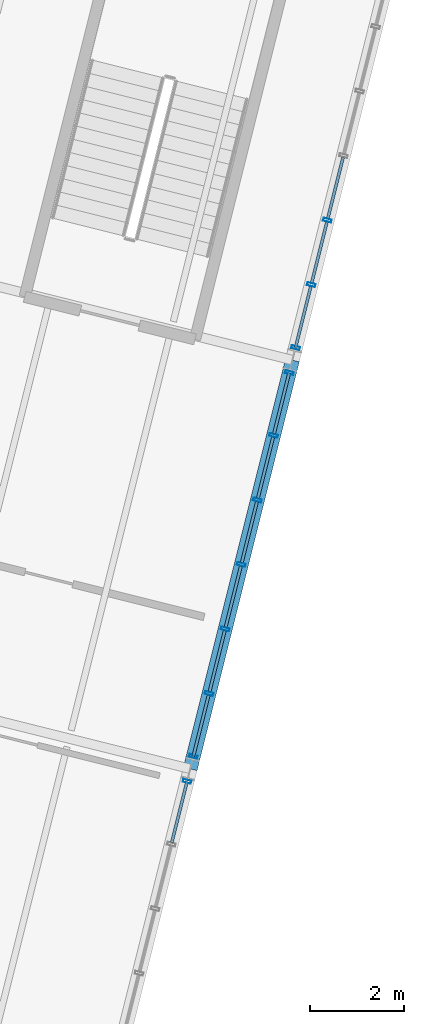
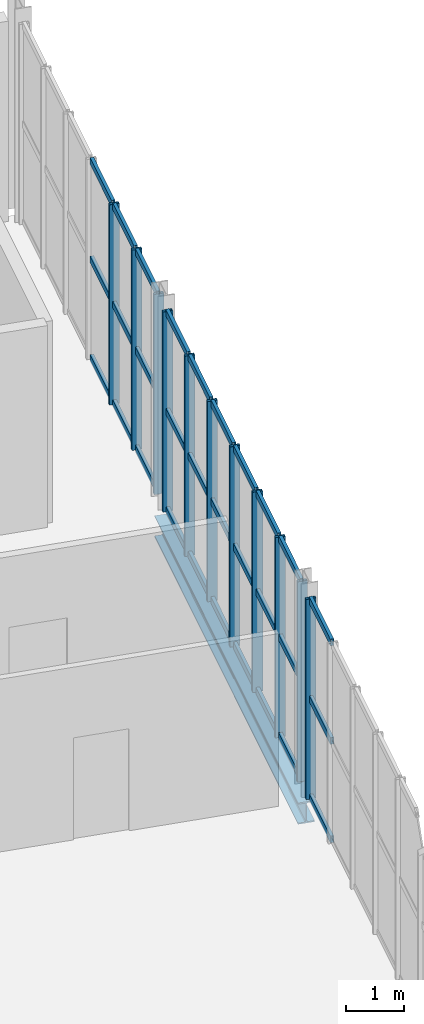
# One storey, part 98 of 152: 41 members, 1 beam, 3 elements without a shape of their own.
"""IFC4 building model written with IfcOpenShell, lengths in metres."""

from ifc_helpers import new_model, si_unit, derived_unit, direction, frame, origin, origin_2d, place, context, subcontext, project, spatial, hollow_rectangle, i_section, extrude, material, material_profile, profile_set, type_object, element, aggregate, save


model = new_model("IFC4")

# Units and contexts
model_context = context("Model", 3, precision=1e-05, world=origin(), true_north=direction((0.0, 1.0)))
body_context = subcontext(model_context, "Body", "Model", "MODEL_VIEW")
ifc_project = project(units=[si_unit("LENGTHUNIT", "METRE"), si_unit("AREAUNIT", "SQUARE_METRE"), si_unit("VOLUMEUNIT", "CUBIC_METRE"), si_unit("PLANEANGLEUNIT", "RADIAN"), si_unit("MASSUNIT", "GRAM", prefix="KILO"), si_unit("THERMODYNAMICTEMPERATUREUNIT", "KELVIN"), si_unit("TIMEUNIT", "SECOND"), derived_unit("THERMALTRANSMITTANCEUNIT", [(si_unit("MASSUNIT", "GRAM", prefix="KILO"), 1), (si_unit("THERMODYNAMICTEMPERATUREUNIT", "KELVIN"), -1), (si_unit("TIMEUNIT", "SECOND"), -3)])], contexts=[model_context])

# Site, building, storey
site_placement = place(None, origin())
site = spatial("IfcSite", under=ifc_project, at=site_placement, CompositionType="ELEMENT")
building_placement = place(site_placement, origin())
building = spatial("IfcBuilding", under=site, at=building_placement, Name="Cambertide Market Hall", CompositionType="ELEMENT")
storey_placement = place(building_placement, frame((0.0, 0.0, 5.39990234375)))
storey = spatial("IfcBuildingStorey", under=building, at=storey_placement, Name="L02", CompositionType="ELEMENT", Elevation=5.39990234375)

# Curtain wall, member
ifc_material_1 = material(Name="Marine Anodized Aluminium 6063-T6 AA25", Category="aluminium")
curtain_wall_type = type_object("IfcCurtainWallType", Name="Cooking School Classroom Curtain Wall", PredefinedType="USERDEFINED", material=ifc_material_1)
curtain_wall_1_placement = place(storey_placement, origin())
curtain_wall_1 = element("IfcCurtainWall", 1, at=curtain_wall_1_placement, inside=storey, type_object=curtain_wall_type, Name="Level 2 Curtain Wall CW-V4E-L02-1", ObjectType="UNITIZED CURTAIN WALL", PredefinedType="USERDEFINED")
ifc_material_2 = material(Name="Champagne Marine Anodized Aluminium 6063-T6 AA25", Category="aluminium")
ifc_material_profile_1 = material_profile(ifc_material_2, hollow_rectangle(XDim=0.06494140625, YDim=0.179931640625, WallThickness=0.00390625, at=origin_2d()), Name="ALU MULLION 65x180")
ifc_profile_set_1 = profile_set([ifc_material_profile_1], Name="Champagne Marine Anodized Aluminium 6063-T6 AA25")
member_type_1 = type_object("IfcMemberType", Name="Curtain Wall Mullion ALU MULLION 65x180", PredefinedType="MULLION", material=ifc_profile_set_1)
member_1_placement = place(storey_placement, frame((172.205322265625, 92.942138671875, 0.0), z_axis=(0.0, 0.0, 1.0), x_axis=(-0.242535569805, -0.970142513953, 0.0)))
member_1 = element("IfcMember", 2, at=member_1_placement, type_object=member_type_1, Name="CW-V4E-L02-1 Mullion 1", PredefinedType="MULLION", context=body_context, shape_type="SweptSolid", body=[
    extrude(hollow_rectangle(XDim=0.06494140625, YDim=0.179931640625, WallThickness=0.00390625, at=origin_2d()), origin(), (0.0, 0.0, 1.0), 4.22021484375),
])

# Curtain wall, members
curtain_wall_2_placement = place(storey_placement, origin())
curtain_wall_2 = element("IfcCurtainWall", 3, at=curtain_wall_2_placement, inside=storey, type_object=curtain_wall_type, Name="Level 2 Curtain Wall CW-V4E-L02-2", ObjectType="UNITIZED CURTAIN WALL", PredefinedType="USERDEFINED")
member_2_placement = place(storey_placement, frame((174.38818359375, 101.673583984375, 0.0), z_axis=(0.0, 0.0, 1.0), x_axis=(-0.24253568027, -0.970142486337, 0.0)))
member_2 = element("IfcMember", 4, at=member_2_placement, type_object=member_type_1, Name="CW-V4E-L02-2 Mullion 1", PredefinedType="MULLION", context=body_context, shape_type="SweptSolid", body=[
    extrude(hollow_rectangle(XDim=0.06494140625, YDim=0.179931640625, WallThickness=0.00390625, at=origin_2d()), origin(), (0.0, 0.0, 1.0), 4.22021484375),
])
member_3_placement = place(storey_placement, frame((174.05224609375, 100.329833984375, 0.0), z_axis=(0.0, 0.0, 1.0), x_axis=(-0.24253568027, -0.970142486337, 0.0)))
member_3 = element("IfcMember", 5, at=member_3_placement, type_object=member_type_1, Name="CW-V4E-L02-2 Mullion 2", PredefinedType="MULLION", context=body_context, shape_type="SweptSolid", body=[
    extrude(hollow_rectangle(XDim=0.06494140625, YDim=0.179931640625, WallThickness=0.00390625, at=origin_2d()), origin(), (0.0, 0.0, 1.0), 4.22021484375),
])
member_4_placement = place(storey_placement, frame((173.707763671875, 98.9521484375, 0.0), z_axis=(0.0, 0.0, 1.0), x_axis=(-0.24253568027, -0.970142486337, 0.0)))
member_4 = element("IfcMember", 6, at=member_4_placement, type_object=member_type_1, Name="CW-V4E-L02-2 Mullion 3", PredefinedType="MULLION", context=body_context, shape_type="SweptSolid", body=[
    extrude(hollow_rectangle(XDim=0.06494140625, YDim=0.179931640625, WallThickness=0.00390625, at=origin_2d()), origin(), (0.0, 0.0, 1.0), 4.22021484375),
])
member_5_placement = place(storey_placement, frame((173.36328125, 97.57470703125, 0.0), z_axis=(0.0, 0.0, 1.0), x_axis=(-0.24253568027, -0.970142486337, 0.0)))
member_5 = element("IfcMember", 7, at=member_5_placement, type_object=member_type_1, Name="CW-V4E-L02-2 Mullion 4", PredefinedType="MULLION", context=body_context, shape_type="SweptSolid", body=[
    extrude(hollow_rectangle(XDim=0.06494140625, YDim=0.179931640625, WallThickness=0.00390625, at=origin_2d()), origin(), (0.0, 0.0, 1.0), 4.22021484375),
])
member_6_placement = place(storey_placement, frame((173.01904296875, 96.197021484375, 0.0), z_axis=(0.0, 0.0, 1.0), x_axis=(-0.24253568027, -0.970142486337, 0.0)))
member_6 = element("IfcMember", 8, at=member_6_placement, type_object=member_type_1, Name="CW-V4E-L02-2 Mullion 5", PredefinedType="MULLION", context=body_context, shape_type="SweptSolid", body=[
    extrude(hollow_rectangle(XDim=0.06494140625, YDim=0.179931640625, WallThickness=0.00390625, at=origin_2d()), origin(), (0.0, 0.0, 1.0), 4.22021484375),
])
member_7_placement = place(storey_placement, frame((172.674560546875, 94.8193359375, 0.0), z_axis=(0.0, 0.0, 1.0), x_axis=(-0.24253568027, -0.970142486337, 0.0)))
member_7 = element("IfcMember", 9, at=member_7_placement, type_object=member_type_1, Name="CW-V4E-L02-2 Mullion 6", PredefinedType="MULLION", context=body_context, shape_type="SweptSolid", body=[
    extrude(hollow_rectangle(XDim=0.06494140625, YDim=0.179931640625, WallThickness=0.00390625, at=origin_2d()), origin(), (0.0, 0.0, 1.0), 4.22021484375),
])
member_8_placement = place(storey_placement, frame((172.338623046875, 93.475830078125, 0.0), z_axis=(0.0, 0.0, 1.0), x_axis=(-0.24253568027, -0.970142486337, 0.0)))
member_8 = element("IfcMember", 10, at=member_8_placement, type_object=member_type_1, Name="CW-V4E-L02-2 Mullion 7", PredefinedType="MULLION", context=body_context, shape_type="SweptSolid", body=[
    extrude(hollow_rectangle(XDim=0.06494140625, YDim=0.179931640625, WallThickness=0.00390625, at=origin_2d()), origin(), (0.0, 0.0, 1.0), 4.22021484375),
])

curtain_wall_3_placement = place(storey_placement, origin())
curtain_wall_3 = element("IfcCurtainWall", 11, at=curtain_wall_3_placement, inside=storey, type_object=curtain_wall_type, Name="Level 2 Curtain Wall CW-V4E-L02-3", ObjectType="UNITIZED CURTAIN WALL", PredefinedType="USERDEFINED")
member_9_placement = place(storey_placement, frame((175.20166015625, 104.92822265625, 0.0), z_axis=(0.0, 0.0, 1.0), x_axis=(-0.242535569805, -0.970142513953, 0.0)))
member_9 = element("IfcMember", 12, at=member_9_placement, type_object=member_type_1, Name="CW-V4E-L02-3 Mullion 5", PredefinedType="MULLION", context=body_context, shape_type="SweptSolid", body=[
    extrude(hollow_rectangle(XDim=0.06494140625, YDim=0.179931640625, WallThickness=0.00390625, at=origin_2d()), origin(), (0.0, 0.0, 1.0), 4.22021484375),
])
member_10_placement = place(storey_placement, frame((174.857421875, 103.55078125, 0.0), z_axis=(0.0, 0.0, 1.0), x_axis=(-0.242535569805, -0.970142513953, 0.0)))
member_10 = element("IfcMember", 13, at=member_10_placement, type_object=member_type_1, Name="CW-V4E-L02-3 Mullion 6", PredefinedType="MULLION", context=body_context, shape_type="SweptSolid", body=[
    extrude(hollow_rectangle(XDim=0.06494140625, YDim=0.179931640625, WallThickness=0.00390625, at=origin_2d()), origin(), (0.0, 0.0, 1.0), 4.22021484375),
])
member_11_placement = place(storey_placement, frame((174.521484375, 102.20703125, 0.0), z_axis=(0.0, 0.0, 1.0), x_axis=(-0.242535569805, -0.970142513953, 0.0)))
member_11 = element("IfcMember", 14, at=member_11_placement, type_object=member_type_1, Name="CW-V4E-L02-3 Mullion 7", PredefinedType="MULLION", context=body_context, shape_type="SweptSolid", body=[
    extrude(hollow_rectangle(XDim=0.06494140625, YDim=0.179931640625, WallThickness=0.00390625, at=origin_2d()), origin(), (0.0, 0.0, 1.0), 4.22021484375),
])

# Member
ifc_material_3 = material(Name="Champagne Marine Anodized Aluminium 6063-T6 AA25", Category="aluminium")
ifc_material_profile_2 = material_profile(ifc_material_3, hollow_rectangle(XDim=0.06494140625, YDim=0.139892578125, WallThickness=0.00341796875, at=origin_2d()), Name="ALU TRANSOM 65x140")
ifc_profile_set_2 = profile_set([ifc_material_profile_2], Name="Champagne Marine Anodized Aluminium 6063-T6 AA25")
member_type_2 = type_object("IfcMemberType", Name="Curtain Wall Transom ALU TRANSOM 65x140", PredefinedType="USERDEFINED", material=ifc_profile_set_2)
member_12_placement = place(storey_placement, frame((172.2041015625, 92.937255859375, 0.03515625), z_axis=(-0.242535625036, -0.970142500145, 0.0), x_axis=(0.970142500145, -0.242535625036, 0.0)))
member_12 = element("IfcMember", 15, at=member_12_placement, type_object=member_type_2, Name="CW-V4E-L02-1 Transom 1-1", ObjectType="TRANSOM", PredefinedType="USERDEFINED", context=body_context, shape_type="SweptSolid", body=[
    extrude(hollow_rectangle(XDim=0.06494140625, YDim=0.139892578125, WallThickness=0.00341796875, at=origin_2d()), origin(), (0.0, 0.0, 1.0), 1.33984375),
])

member_13_placement = place(storey_placement, frame((172.2041015625, 92.937255859375, 2.110107421875), z_axis=(-0.242535625036, -0.970142500145, 0.0), x_axis=(0.970142500145, -0.242535625036, 0.0)))
member_13 = element("IfcMember", 16, at=member_13_placement, type_object=member_type_2, Name="CW-V4E-L02-1 Transom 2-1", ObjectType="TRANSOM", PredefinedType="USERDEFINED", context=body_context, shape_type="SweptSolid", body=[
    extrude(hollow_rectangle(XDim=0.06494140625, YDim=0.139892578125, WallThickness=0.00341796875, at=origin_2d()), origin(), (0.0, 0.0, 1.0), 1.33984375),
])

member_14_placement = place(storey_placement, frame((172.2041015625, 92.937255859375, 4.18505859375), z_axis=(-0.242535625036, -0.970142500145, 0.0), x_axis=(0.970142500145, -0.242535625036, 0.0)))
member_14 = element("IfcMember", 17, at=member_14_placement, type_object=member_type_2, Name="CW-V4E-L02-1 Transom 3-1", ObjectType="TRANSOM", PredefinedType="USERDEFINED", context=body_context, shape_type="SweptSolid", body=[
    extrude(hollow_rectangle(XDim=0.06494140625, YDim=0.139892578125, WallThickness=0.00341796875, at=origin_2d()), origin(), (0.0, 0.0, 1.0), 1.33984375),
])

aggregate(curtain_wall_1, [member_1, member_12, member_13, member_14])

member_15_placement = place(storey_placement, frame((174.386962890625, 101.668701171875, 0.03515625), z_axis=(-0.242664220797, -0.970110342149, 0.0), x_axis=(0.970110342149, -0.242664220797, 0.0)))
member_15 = element("IfcMember", 18, at=member_15_placement, type_object=member_type_2, Name="CW-V4E-L02-2 Transom 1-1", ObjectType="TRANSOM", PredefinedType="USERDEFINED", context=body_context, shape_type="SweptSolid", body=[
    extrude(hollow_rectangle(XDim=0.06494140625, YDim=0.139892578125, WallThickness=0.00341796875, at=origin_2d()), origin(), (0.0, 0.0, 1.0), 1.340087890625),
])

member_16_placement = place(storey_placement, frame((174.04248046875, 100.291015625, 0.03515625), z_axis=(-0.242492756941, -0.970153216163, 0.0), x_axis=(0.970153216163, -0.242492756941, 0.0)))
member_16 = element("IfcMember", 19, at=member_16_placement, type_object=member_type_2, Name="CW-V4E-L02-2 Transom 1-2", ObjectType="TRANSOM", PredefinedType="USERDEFINED", context=body_context, shape_type="SweptSolid", body=[
    extrude(hollow_rectangle(XDim=0.06494140625, YDim=0.139892578125, WallThickness=0.00341796875, at=origin_2d()), origin(), (0.0, 0.0, 1.0), 1.340087890625),
])

member_17_placement = place(storey_placement, frame((173.697998046875, 98.913330078125, 0.03515625), z_axis=(-0.242535625036, -0.970142500145, 0.0), x_axis=(0.970142500145, -0.242535625036, 0.0)))
member_17 = element("IfcMember", 20, at=member_17_placement, type_object=member_type_2, Name="CW-V4E-L02-2 Transom 1-3", ObjectType="TRANSOM", PredefinedType="USERDEFINED", context=body_context, shape_type="SweptSolid", body=[
    extrude(hollow_rectangle(XDim=0.06494140625, YDim=0.139892578125, WallThickness=0.00341796875, at=origin_2d()), origin(), (0.0, 0.0, 1.0), 1.33984375),
])

member_18_placement = place(storey_placement, frame((173.353759765625, 97.535888671875, 0.03515625), z_axis=(-0.242664220797, -0.970110342149, 0.0), x_axis=(0.970110342149, -0.242664220797, 0.0)))
member_18 = element("IfcMember", 21, at=member_18_placement, type_object=member_type_2, Name="CW-V4E-L02-2 Transom 1-4", ObjectType="TRANSOM", PredefinedType="USERDEFINED", context=body_context, shape_type="SweptSolid", body=[
    extrude(hollow_rectangle(XDim=0.06494140625, YDim=0.139892578125, WallThickness=0.00341796875, at=origin_2d()), origin(), (0.0, 0.0, 1.0), 1.340087890625),
])

member_19_placement = place(storey_placement, frame((173.00927734375, 96.158203125, 0.03515625), z_axis=(-0.242492756941, -0.970153216163, 0.0), x_axis=(0.970153216163, -0.242492756941, 0.0)))
member_19 = element("IfcMember", 22, at=member_19_placement, type_object=member_type_2, Name="CW-V4E-L02-2 Transom 1-5", ObjectType="TRANSOM", PredefinedType="USERDEFINED", context=body_context, shape_type="SweptSolid", body=[
    extrude(hollow_rectangle(XDim=0.06494140625, YDim=0.139892578125, WallThickness=0.00341796875, at=origin_2d()), origin(), (0.0, 0.0, 1.0), 1.340087890625),
])

member_20_placement = place(storey_placement, frame((172.664794921875, 94.780517578125, 0.03515625), z_axis=(-0.242535625036, -0.970142500145, 0.0), x_axis=(0.970142500145, -0.242535625036, 0.0)))
member_20 = element("IfcMember", 23, at=member_20_placement, type_object=member_type_2, Name="CW-V4E-L02-2 Transom 1-6", ObjectType="TRANSOM", PredefinedType="USERDEFINED", context=body_context, shape_type="SweptSolid", body=[
    extrude(hollow_rectangle(XDim=0.06494140625, YDim=0.139892578125, WallThickness=0.00341796875, at=origin_2d()), origin(), (0.0, 0.0, 1.0), 1.33984375),
])

member_21_placement = place(storey_placement, frame((174.386962890625, 101.668701171875, 2.110107421875), z_axis=(-0.242664220797, -0.970110342149, 0.0), x_axis=(0.970110342149, -0.242664220797, 0.0)))
member_21 = element("IfcMember", 24, at=member_21_placement, type_object=member_type_2, Name="CW-V4E-L02-2 Transom 2-1", ObjectType="TRANSOM", PredefinedType="USERDEFINED", context=body_context, shape_type="SweptSolid", body=[
    extrude(hollow_rectangle(XDim=0.06494140625, YDim=0.139892578125, WallThickness=0.00341796875, at=origin_2d()), origin(), (0.0, 0.0, 1.0), 1.340087890625),
])

member_22_placement = place(storey_placement, frame((174.04248046875, 100.291015625, 2.110107421875), z_axis=(-0.242492756941, -0.970153216163, 0.0), x_axis=(0.970153216163, -0.242492756941, 0.0)))
member_22 = element("IfcMember", 25, at=member_22_placement, type_object=member_type_2, Name="CW-V4E-L02-2 Transom 2-2", ObjectType="TRANSOM", PredefinedType="USERDEFINED", context=body_context, shape_type="SweptSolid", body=[
    extrude(hollow_rectangle(XDim=0.06494140625, YDim=0.139892578125, WallThickness=0.00341796875, at=origin_2d()), origin(), (0.0, 0.0, 1.0), 1.340087890625),
])

member_23_placement = place(storey_placement, frame((173.697998046875, 98.913330078125, 2.110107421875), z_axis=(-0.242535625036, -0.970142500145, 0.0), x_axis=(0.970142500145, -0.242535625036, 0.0)))
member_23 = element("IfcMember", 26, at=member_23_placement, type_object=member_type_2, Name="CW-V4E-L02-2 Transom 2-3", ObjectType="TRANSOM", PredefinedType="USERDEFINED", context=body_context, shape_type="SweptSolid", body=[
    extrude(hollow_rectangle(XDim=0.06494140625, YDim=0.139892578125, WallThickness=0.00341796875, at=origin_2d()), origin(), (0.0, 0.0, 1.0), 1.33984375),
])

member_24_placement = place(storey_placement, frame((173.353759765625, 97.535888671875, 2.110107421875), z_axis=(-0.242664220797, -0.970110342149, 0.0), x_axis=(0.970110342149, -0.242664220797, 0.0)))
member_24 = element("IfcMember", 27, at=member_24_placement, type_object=member_type_2, Name="CW-V4E-L02-2 Transom 2-4", ObjectType="TRANSOM", PredefinedType="USERDEFINED", context=body_context, shape_type="SweptSolid", body=[
    extrude(hollow_rectangle(XDim=0.06494140625, YDim=0.139892578125, WallThickness=0.00341796875, at=origin_2d()), origin(), (0.0, 0.0, 1.0), 1.340087890625),
])

member_25_placement = place(storey_placement, frame((173.00927734375, 96.158203125, 2.110107421875), z_axis=(-0.242492756941, -0.970153216163, 0.0), x_axis=(0.970153216163, -0.242492756941, 0.0)))
member_25 = element("IfcMember", 28, at=member_25_placement, type_object=member_type_2, Name="CW-V4E-L02-2 Transom 2-5", ObjectType="TRANSOM", PredefinedType="USERDEFINED", context=body_context, shape_type="SweptSolid", body=[
    extrude(hollow_rectangle(XDim=0.06494140625, YDim=0.139892578125, WallThickness=0.00341796875, at=origin_2d()), origin(), (0.0, 0.0, 1.0), 1.340087890625),
])

member_26_placement = place(storey_placement, frame((172.664794921875, 94.780517578125, 2.110107421875), z_axis=(-0.242535625036, -0.970142500145, 0.0), x_axis=(0.970142500145, -0.242535625036, 0.0)))
member_26 = element("IfcMember", 29, at=member_26_placement, type_object=member_type_2, Name="CW-V4E-L02-2 Transom 2-6", ObjectType="TRANSOM", PredefinedType="USERDEFINED", context=body_context, shape_type="SweptSolid", body=[
    extrude(hollow_rectangle(XDim=0.06494140625, YDim=0.139892578125, WallThickness=0.00341796875, at=origin_2d()), origin(), (0.0, 0.0, 1.0), 1.33984375),
])

member_27_placement = place(storey_placement, frame((174.386962890625, 101.668701171875, 4.18505859375), z_axis=(-0.242664220797, -0.970110342149, 0.0), x_axis=(0.970110342149, -0.242664220797, 0.0)))
member_27 = element("IfcMember", 30, at=member_27_placement, type_object=member_type_2, Name="CW-V4E-L02-2 Transom 3-1", ObjectType="TRANSOM", PredefinedType="USERDEFINED", context=body_context, shape_type="SweptSolid", body=[
    extrude(hollow_rectangle(XDim=0.06494140625, YDim=0.139892578125, WallThickness=0.00341796875, at=origin_2d()), origin(), (0.0, 0.0, 1.0), 1.340087890625),
])

member_28_placement = place(storey_placement, frame((174.04248046875, 100.291015625, 4.18505859375), z_axis=(-0.242492756941, -0.970153216163, 0.0), x_axis=(0.970153216163, -0.242492756941, 0.0)))
member_28 = element("IfcMember", 31, at=member_28_placement, type_object=member_type_2, Name="CW-V4E-L02-2 Transom 3-2", ObjectType="TRANSOM", PredefinedType="USERDEFINED", context=body_context, shape_type="SweptSolid", body=[
    extrude(hollow_rectangle(XDim=0.06494140625, YDim=0.139892578125, WallThickness=0.00341796875, at=origin_2d()), origin(), (0.0, 0.0, 1.0), 1.340087890625),
])

member_29_placement = place(storey_placement, frame((173.697998046875, 98.913330078125, 4.18505859375), z_axis=(-0.242535625036, -0.970142500145, 0.0), x_axis=(0.970142500145, -0.242535625036, 0.0)))
member_29 = element("IfcMember", 32, at=member_29_placement, type_object=member_type_2, Name="CW-V4E-L02-2 Transom 3-3", ObjectType="TRANSOM", PredefinedType="USERDEFINED", context=body_context, shape_type="SweptSolid", body=[
    extrude(hollow_rectangle(XDim=0.06494140625, YDim=0.139892578125, WallThickness=0.00341796875, at=origin_2d()), origin(), (0.0, 0.0, 1.0), 1.33984375),
])

member_30_placement = place(storey_placement, frame((173.353759765625, 97.535888671875, 4.18505859375), z_axis=(-0.242664220797, -0.970110342149, 0.0), x_axis=(0.970110342149, -0.242664220797, 0.0)))
member_30 = element("IfcMember", 33, at=member_30_placement, type_object=member_type_2, Name="CW-V4E-L02-2 Transom 3-4", ObjectType="TRANSOM", PredefinedType="USERDEFINED", context=body_context, shape_type="SweptSolid", body=[
    extrude(hollow_rectangle(XDim=0.06494140625, YDim=0.139892578125, WallThickness=0.00341796875, at=origin_2d()), origin(), (0.0, 0.0, 1.0), 1.340087890625),
])

member_31_placement = place(storey_placement, frame((173.00927734375, 96.158203125, 4.18505859375), z_axis=(-0.242492756941, -0.970153216163, 0.0), x_axis=(0.970153216163, -0.242492756941, 0.0)))
member_31 = element("IfcMember", 34, at=member_31_placement, type_object=member_type_2, Name="CW-V4E-L02-2 Transom 3-5", ObjectType="TRANSOM", PredefinedType="USERDEFINED", context=body_context, shape_type="SweptSolid", body=[
    extrude(hollow_rectangle(XDim=0.06494140625, YDim=0.139892578125, WallThickness=0.00341796875, at=origin_2d()), origin(), (0.0, 0.0, 1.0), 1.340087890625),
])

member_32_placement = place(storey_placement, frame((172.664794921875, 94.780517578125, 4.18505859375), z_axis=(-0.242535625036, -0.970142500145, 0.0), x_axis=(0.970142500145, -0.242535625036, 0.0)))
member_32 = element("IfcMember", 35, at=member_32_placement, type_object=member_type_2, Name="CW-V4E-L02-2 Transom 3-6", ObjectType="TRANSOM", PredefinedType="USERDEFINED", context=body_context, shape_type="SweptSolid", body=[
    extrude(hollow_rectangle(XDim=0.06494140625, YDim=0.139892578125, WallThickness=0.00341796875, at=origin_2d()), origin(), (0.0, 0.0, 1.0), 1.33984375),
])

aggregate(curtain_wall_2, [member_2, member_3, member_4, member_5, member_6, member_7, member_8, member_15, member_16, member_17, member_18, member_19, member_20, member_21, member_22, member_23, member_24, member_25, member_26, member_27, member_28, member_29, member_30, member_31, member_32])

member_33_placement = place(storey_placement, frame((175.536376953125, 106.26708984375, 0.03515625), z_axis=(-0.242492756941, -0.970153216163, 0.0), x_axis=(0.970153216163, -0.242492756941, 0.0)))
member_33 = element("IfcMember", 36, at=member_33_placement, type_object=member_type_2, Name="CW-V4E-L02-3 Transom 1-4", ObjectType="TRANSOM", PredefinedType="USERDEFINED", context=body_context, shape_type="SweptSolid", body=[
    extrude(hollow_rectangle(XDim=0.06494140625, YDim=0.139892578125, WallThickness=0.00341796875, at=origin_2d()), origin(), (0.0, 0.0, 1.0), 1.340087890625),
])

member_34_placement = place(storey_placement, frame((175.192138671875, 104.889404296875, 0.03515625), z_axis=(-0.242535625036, -0.970142500145, 0.0), x_axis=(0.970142500145, -0.242535625036, 0.0)))
member_34 = element("IfcMember", 37, at=member_34_placement, type_object=member_type_2, Name="CW-V4E-L02-3 Transom 1-5", ObjectType="TRANSOM", PredefinedType="USERDEFINED", context=body_context, shape_type="SweptSolid", body=[
    extrude(hollow_rectangle(XDim=0.06494140625, YDim=0.139892578125, WallThickness=0.00341796875, at=origin_2d()), origin(), (0.0, 0.0, 1.0), 1.33984375),
])

member_35_placement = place(storey_placement, frame((174.84765625, 103.511962890625, 0.03515625), z_axis=(-0.242492756941, -0.970153216163, 0.0), x_axis=(0.970153216163, -0.242492756941, 0.0)))
member_35 = element("IfcMember", 38, at=member_35_placement, type_object=member_type_2, Name="CW-V4E-L02-3 Transom 1-6", ObjectType="TRANSOM", PredefinedType="USERDEFINED", context=body_context, shape_type="SweptSolid", body=[
    extrude(hollow_rectangle(XDim=0.06494140625, YDim=0.139892578125, WallThickness=0.00341796875, at=origin_2d()), origin(), (0.0, 0.0, 1.0), 1.340087890625),
])

member_36_placement = place(storey_placement, frame((175.536376953125, 106.26708984375, 2.110107421875), z_axis=(-0.242492756941, -0.970153216163, 0.0), x_axis=(0.970153216163, -0.242492756941, 0.0)))
member_36 = element("IfcMember", 39, at=member_36_placement, type_object=member_type_2, Name="CW-V4E-L02-3 Transom 2-4", ObjectType="TRANSOM", PredefinedType="USERDEFINED", context=body_context, shape_type="SweptSolid", body=[
    extrude(hollow_rectangle(XDim=0.06494140625, YDim=0.139892578125, WallThickness=0.00341796875, at=origin_2d()), origin(), (0.0, 0.0, 1.0), 1.340087890625),
])

member_37_placement = place(storey_placement, frame((175.192138671875, 104.889404296875, 2.110107421875), z_axis=(-0.242535625036, -0.970142500145, 0.0), x_axis=(0.970142500145, -0.242535625036, 0.0)))
member_37 = element("IfcMember", 40, at=member_37_placement, type_object=member_type_2, Name="CW-V4E-L02-3 Transom 2-5", ObjectType="TRANSOM", PredefinedType="USERDEFINED", context=body_context, shape_type="SweptSolid", body=[
    extrude(hollow_rectangle(XDim=0.06494140625, YDim=0.139892578125, WallThickness=0.00341796875, at=origin_2d()), origin(), (0.0, 0.0, 1.0), 1.33984375),
])

member_38_placement = place(storey_placement, frame((174.84765625, 103.511962890625, 2.110107421875), z_axis=(-0.242492756941, -0.970153216163, 0.0), x_axis=(0.970153216163, -0.242492756941, 0.0)))
member_38 = element("IfcMember", 41, at=member_38_placement, type_object=member_type_2, Name="CW-V4E-L02-3 Transom 2-6", ObjectType="TRANSOM", PredefinedType="USERDEFINED", context=body_context, shape_type="SweptSolid", body=[
    extrude(hollow_rectangle(XDim=0.06494140625, YDim=0.139892578125, WallThickness=0.00341796875, at=origin_2d()), origin(), (0.0, 0.0, 1.0), 1.340087890625),
])

member_39_placement = place(storey_placement, frame((175.536376953125, 106.26708984375, 4.18505859375), z_axis=(-0.242492756941, -0.970153216163, 0.0), x_axis=(0.970153216163, -0.242492756941, 0.0)))
member_39 = element("IfcMember", 42, at=member_39_placement, type_object=member_type_2, Name="CW-V4E-L02-3 Transom 3-4", ObjectType="TRANSOM", PredefinedType="USERDEFINED", context=body_context, shape_type="SweptSolid", body=[
    extrude(hollow_rectangle(XDim=0.06494140625, YDim=0.139892578125, WallThickness=0.00341796875, at=origin_2d()), origin(), (0.0, 0.0, 1.0), 1.340087890625),
])

member_40_placement = place(storey_placement, frame((175.192138671875, 104.889404296875, 4.18505859375), z_axis=(-0.242535625036, -0.970142500145, 0.0), x_axis=(0.970142500145, -0.242535625036, 0.0)))
member_40 = element("IfcMember", 43, at=member_40_placement, type_object=member_type_2, Name="CW-V4E-L02-3 Transom 3-5", ObjectType="TRANSOM", PredefinedType="USERDEFINED", context=body_context, shape_type="SweptSolid", body=[
    extrude(hollow_rectangle(XDim=0.06494140625, YDim=0.139892578125, WallThickness=0.00341796875, at=origin_2d()), origin(), (0.0, 0.0, 1.0), 1.33984375),
])

member_41_placement = place(storey_placement, frame((174.84765625, 103.511962890625, 4.18505859375), z_axis=(-0.242492756941, -0.970153216163, 0.0), x_axis=(0.970153216163, -0.242492756941, 0.0)))
member_41 = element("IfcMember", 44, at=member_41_placement, type_object=member_type_2, Name="CW-V4E-L02-3 Transom 3-6", ObjectType="TRANSOM", PredefinedType="USERDEFINED", context=body_context, shape_type="SweptSolid", body=[
    extrude(hollow_rectangle(XDim=0.06494140625, YDim=0.139892578125, WallThickness=0.00341796875, at=origin_2d()), origin(), (0.0, 0.0, 1.0), 1.340087890625),
])

aggregate(curtain_wall_3, [member_9, member_10, member_11, member_33, member_34, member_35, member_36, member_37, member_38, member_39, member_40, member_41])

# Beam
ifc_material_4 = material(Name="Steel S355", Category="steel")
ifc_material_profile_3 = material_profile(ifc_material_4, i_section(OverallWidth=0.300048828125, OverallDepth=0.449951171875, WebThickness=0.013916015625, FlangeThickness=0.02587890625, FilletRadius=0.027099609375, at=origin_2d()), Name="HEB 450")
ifc_profile_set_3 = profile_set([ifc_material_profile_3], Name="Steel S355")
beam_type = type_object("IfcBeamType", Name="Steel Girder HEB 450", PredefinedType="BEAM", material=ifc_profile_set_3)
beam_placement = place(storey_placement, frame((172.27197265625, 93.208984375, -0.489990234375), z_axis=(0.242542007841, 0.970140904422, 0.0), x_axis=(-0.970140904422, 0.242542007841, 0.0)))
element("IfcBeam", 45, at=beam_placement, inside=storey, type_object=beam_type, Name="Level 2 Beam BM-V4V-L02-9-2", PredefinedType="BEAM", context=body_context, shape_type="SweptSolid", body=[
    extrude(i_section(OverallWidth=0.300048828125, OverallDepth=0.449951171875, WebThickness=0.013916015625, FlangeThickness=0.02587890625, FilletRadius=0.027099609375, at=origin_2d()), origin(), (0.0, 0.0, 1.0), 9.0),
])

save(model, "model.ifc")
